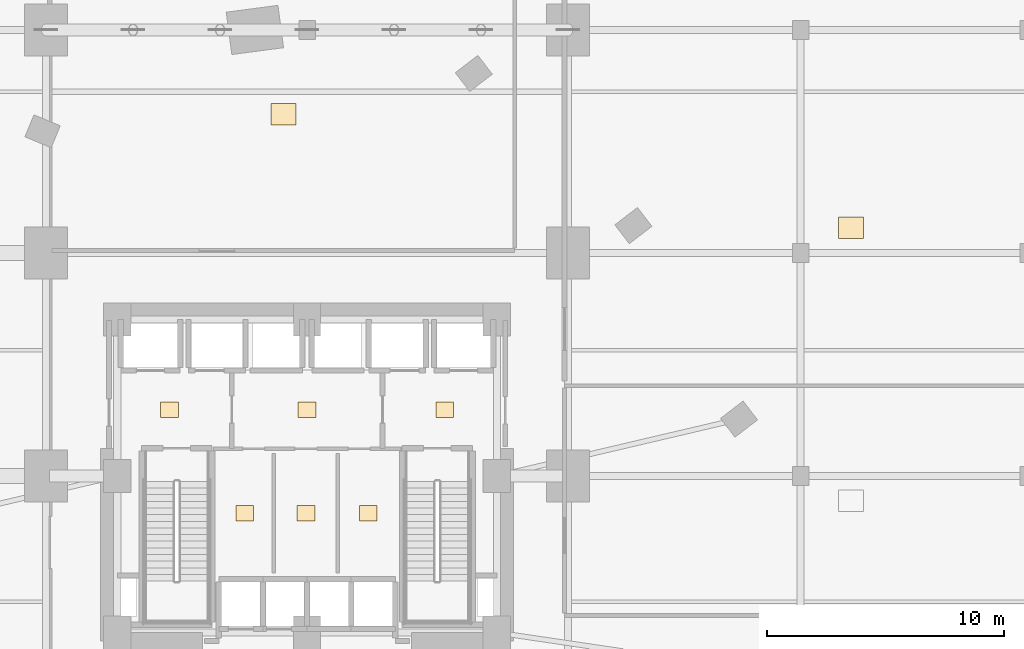
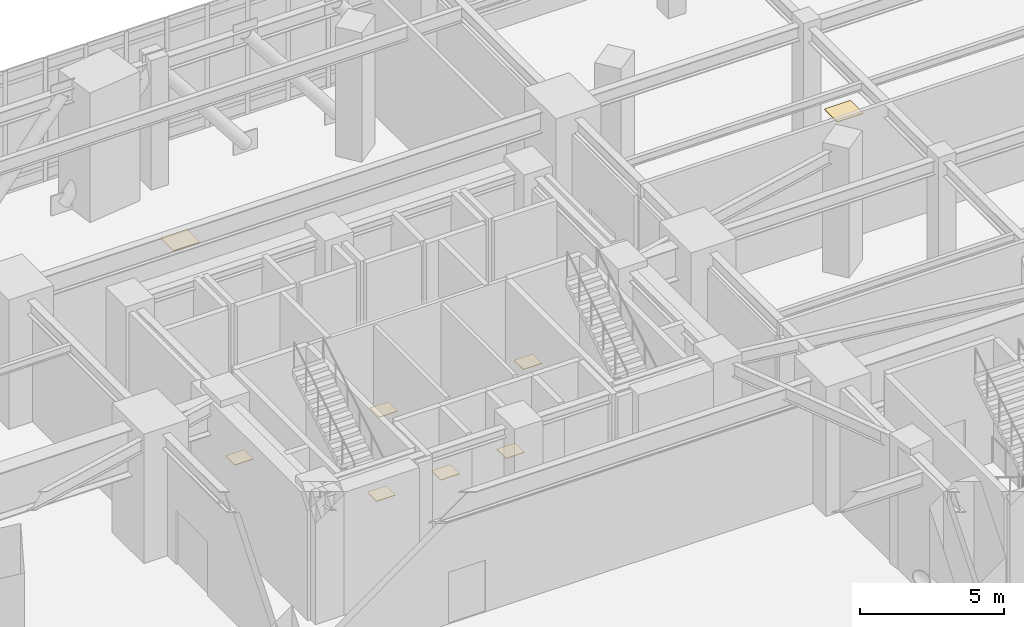
# One storey, part 19 of 19: 8 coverings.
"""IFC4 building model written with IfcOpenShell, lengths in metres."""

import ifcopenshell
import ifcopenshell.guid

model = None  # the IFC model being written
_history = None  # IfcOwnerHistory: only IFC2X3 demands one
_inside = {}  # id of a spatial element -> (the spatial element, [elements in it])
_under = {}  # id of a project, library or spatial element -> (it, [spatial elements below it])
_declared = {}  # id of a project -> (the project, [libraries it declares])
_typed = {}  # id of a type object -> (the type object, [elements of that type])
_made_of = {}  # id of a material, layer set ... -> (it, [elements and type objects made of it])


def new_model(schema):
    """Start an empty IFC model of exactly this schema.

    Asked for "IFC4X3", IfcOpenShell would pick the latest addendum, in which some entities
    have other attributes; the version numbers below select the first issue.
    IFC2X3 requires an IfcOwnerHistory on every rooted entity: one is made here for all.
    """
    global model, _history
    if schema == "IFC4X3":
        model = ifcopenshell.file(schema_version=(4, 3, 0, 0))
    else:
        model = ifcopenshell.file(schema=schema)
    _inside.clear()
    _under.clear()
    _declared.clear()
    _typed.clear()
    _made_of.clear()
    _history = None
    if model.schema == "IFC2X3":
        org = make("IfcOrganization", Name="unknown")
        user = make(
            "IfcPersonAndOrganization",
            ThePerson=make("IfcPerson", FamilyName="unknown"),
            TheOrganization=org,
        )
        app = make(
            "IfcApplication",
            ApplicationDeveloper=org,
            Version="unknown",
            ApplicationFullName="unknown",
            ApplicationIdentifier="unknown",
        )
        _history = make(
            "IfcOwnerHistory",
            OwningUser=user,
            OwningApplication=app,
            ChangeAction="ADDED",
            CreationDate=0,
        )
    return model


def make(cls, **values):
    """One entity of the class cls with the attributes given. An attribute that is None is left unset."""
    return model.create_entity(
        cls, **{name: value for name, value in values.items() if value is not None}
    )


def rooted(cls, **values):
    """An entity with a GlobalId (a new one), such as an element, a storey or a relation."""
    return make(cls, GlobalId=ifcopenshell.guid.new(), OwnerHistory=_history, **values)


def si_unit(unit_type, name, prefix=None):
    """IfcSIUnit, for example si_unit("LENGTHUNIT", "METRE", prefix="MILLI")."""
    return make("IfcSIUnit", UnitType=unit_type, Prefix=prefix, Name=name)


def assignment(units):
    """IfcUnitAssignment: the units of a project."""
    return None if units is None else make("IfcUnitAssignment", Units=units)


def point(xyz):
    """IfcCartesianPoint."""
    return None if xyz is None else make("IfcCartesianPoint", Coordinates=xyz)


def direction(xyz):
    """IfcDirection."""
    return None if xyz is None else make("IfcDirection", DirectionRatios=xyz)


def frame(location, z_axis=None, x_axis=None):
    """IfcAxis2Placement3D, a coordinate frame: its origin and axes. An axis left out is left unset."""
    return make(
        "IfcAxis2Placement3D",
        Location=point(location),
        Axis=direction(z_axis),
        RefDirection=direction(x_axis),
    )


def frame_2d(location, x_axis=None):
    """IfcAxis2Placement2D, a coordinate frame in the plane: its origin and x axis."""
    return make(
        "IfcAxis2Placement2D", Location=point(location), RefDirection=direction(x_axis)
    )


def origin():
    """The frame at (0, 0, 0) with its axes left unset."""
    return frame((0.0, 0.0, 0.0))


def origin_2d():
    """The frame at (0, 0) in the plane with its x axis left unset."""
    return frame_2d((0.0, 0.0))


def place(relative_to, where):
    """IfcLocalPlacement: puts the frame where relative to a parent placement (None: the world)."""
    return make(
        "IfcLocalPlacement", PlacementRelTo=relative_to, RelativePlacement=where
    )


def context(
    kind, dimensions, precision=None, world=None, true_north=None, identifier=None
):
    """IfcGeometricRepresentationContext, for example the 3D "Model" context."""
    return make(
        "IfcGeometricRepresentationContext",
        ContextIdentifier=identifier,
        ContextType=kind,
        CoordinateSpaceDimension=dimensions,
        Precision=precision,
        WorldCoordinateSystem=world,
        TrueNorth=true_north,
    )


def subcontext(parent, identifier, kind, view, scale=None):
    """IfcGeometricRepresentationSubContext, for example "Body" below "Model"."""
    return make(
        "IfcGeometricRepresentationSubContext",
        ContextIdentifier=identifier,
        ContextType=kind,
        ParentContext=parent,
        TargetScale=scale,
        TargetView=view,
    )


def project(units=None, contexts=None):
    """IfcProject with its units and contexts."""
    return rooted(
        "IfcProject",
        Name="project",
        RepresentationContexts=contexts,
        UnitsInContext=assignment(units),
    )


def spatial(cls, under=None, at=None, **own):
    """A site, building, storey or space (cls), placed at a placement, below another one or the project."""
    s = rooted(cls, ObjectPlacement=at, **own)
    if under is not None:
        _under.setdefault(under.id(), (under, []))[1].append(s)
    return s


def profile(cls, at=None, kind="AREA", **sizes):
    """A parametric profile (cls). Its sizes go by their IFC names, for example OverallWidth=200.0."""
    return make(cls, ProfileType=kind, Position=at, **sizes)


def rectangle(**sizes):
    """IfcRectangleProfileDef."""
    return profile("IfcRectangleProfileDef", **sizes)


def extrude(swept, where, along, depth):
    """IfcExtrudedAreaSolid: the profile swept, set in the frame where, extruded along a direction by depth."""
    return make(
        "IfcExtrudedAreaSolid",
        SweptArea=swept,
        Position=where,
        ExtrudedDirection=direction(along),
        Depth=depth,
    )


def shape(context_of_items, identifier, shape_type, items):
    """IfcShapeRepresentation: the items that make up one representation, for example the "Body"."""
    return make(
        "IfcShapeRepresentation",
        ContextOfItems=context_of_items,
        RepresentationIdentifier=identifier,
        RepresentationType=shape_type,
        Items=items,
    )


def material(Name=None, Category=None):
    """IfcMaterial."""
    return make("IfcMaterial", Name=Name, Category=Category)


def layer(
    of_material, thickness, ventilated=None, Name=None, Category=None, Priority=None
):
    """IfcMaterialLayer: one layer of a wall or slab, of a material (None: an air gap)."""
    return make(
        "IfcMaterialLayer",
        Material=of_material,
        LayerThickness=thickness,
        IsVentilated=ventilated,
        Name=Name,
        Category=Category,
        Priority=Priority,
    )


def layer_set(layers, Name=None):
    """IfcMaterialLayerSet."""
    return make("IfcMaterialLayerSet", MaterialLayers=layers, LayerSetName=Name)


def made_of(thing, what):
    """Note that an element or type object is made of a material, layer set ...; save() writes the relation."""
    if what is not None:
        _made_of.setdefault(what.id(), (what, []))[1].append(thing)
    return thing


def type_object(cls, material=None, **own):
    """A type object (cls), such as IfcWallType, which elements share."""
    return made_of(rooted(cls, **own), material)


def element(
    cls,
    number,
    at=None,
    inside=None,
    cuts=None,
    type_object=None,
    material=None,
    context=None,
    identifier="Body",
    shape_type=None,
    held_by="IfcProductDefinitionShape",
    body=None,
    shapes=None,
    **own,
):
    """One element of the class cls, such as IfcWall. Its Tag is "e" and its number.

    at: its placement. inside: the storey or other place that contains it. cuts: it is an
    opening in that element (IfcRelVoidsElement). A single representation is given by context,
    identifier, shape_type and body (its items); several are given by shapes. held_by: the class
    of the entity that holds the representations. save() writes the other relations.
    """
    e = rooted(cls, Tag="e%d" % number, ObjectPlacement=at, **own)
    if body is not None:
        shapes = [shape(context, identifier, shape_type, body)]
    if shapes is not None:
        e.Representation = make(held_by, Representations=shapes)
    if inside is not None:
        _inside.setdefault(inside.id(), (inside, []))[1].append(e)
    if cuts is not None:
        rooted(
            "IfcRelVoidsElement", RelatingBuildingElement=cuts, RelatedOpeningElement=e
        )
    if type_object is not None:
        _typed.setdefault(type_object.id(), (type_object, []))[1].append(e)
    return made_of(e, material)


def aggregate(whole, parts):
    """IfcRelAggregates: a whole, such as a stair, and the parts it consists of."""
    return rooted("IfcRelAggregates", RelatingObject=whole, RelatedObjects=parts)


def save(model, path):
    """Write the relations noted so far, then the file.

    IfcRelAggregates (storeys below a building ...), IfcRelContainedInSpatialStructure (elements
    in a storey), IfcRelDefinesByType, IfcRelAssociatesMaterial and IfcRelDeclares: one each for
    every whole, place, type object, material and project.
    """
    for whole, parts in _under.values():
        aggregate(whole, parts)
    for where, things in _inside.values():
        rooted(
            "IfcRelContainedInSpatialStructure",
            RelatedElements=things,
            RelatingStructure=where,
        )
    for kind, things in _typed.values():
        rooted("IfcRelDefinesByType", RelatedObjects=things, RelatingType=kind)
    for what, things in _made_of.values():
        rooted("IfcRelAssociatesMaterial", RelatedObjects=things, RelatingMaterial=what)
    for by, libraries in _declared.values():
        rooted("IfcRelDeclares", RelatingContext=by, RelatedDefinitions=libraries)
    model.write(path)


model = new_model("IFC4")

# Units and contexts
model_context = context("Model", 3, precision=1e-05, world=origin(), true_north=direction((0.0, 1.0)))
body_context = subcontext(model_context, "Body", "Model", "MODEL_VIEW")
ifc_project = project(units=[si_unit("LENGTHUNIT", "METRE"), si_unit("AREAUNIT", "SQUARE_METRE"), si_unit("VOLUMEUNIT", "CUBIC_METRE"), si_unit("PLANEANGLEUNIT", "RADIAN"), si_unit("MASSUNIT", "GRAM", prefix="KILO")], contexts=[model_context])

# Site, building, storey
site_placement = place(None, origin())
site = spatial("IfcSite", under=ifc_project, at=site_placement, CompositionType="ELEMENT")
building_placement = place(site_placement, origin())
building = spatial("IfcBuilding", under=site, at=building_placement, Name="Ndelora Gate Hotel", CompositionType="ELEMENT")
storey_placement = place(building_placement, frame((0.0, 0.0, 16.0)))
storey = spatial("IfcBuildingStorey", under=building, at=storey_placement, Name="L03", CompositionType="ELEMENT", Elevation=16.0)

# Coverings
ifc_material_1 = material(Name="Engineered Highland Oak Parquet", Category="wood")
ifc_layer_1 = layer(ifc_material_1, 0.030029296875)
ifc_layer_set_1 = layer_set([ifc_layer_1], Name="Engineered Highland Oak Parquet")
covering_type_1 = type_object("IfcCoveringType", Name="COV-FLR-PARQ", PredefinedType="FLOORING", material=ifc_layer_set_1)
for number, where, z_axis, x_axis, name in (
    (1, (-1.0, 15.25, 0.0), (0.0, 0.0, 1.0), (1.0, 0.0, 0.0), "L03 Banquet Reception Salon Oak Parquet Flooring"),
    (2, (22.925048828125, 10.46875, 0.0), (0.0, 0.0, 1.0), (1.0, 0.0, 0.0), "L03 Banquet Plating Kitchen Oak Parquet Flooring"),
):
    element("IfcCovering", number, at=place(storey_placement, frame(where, z_axis=z_axis, x_axis=x_axis)), inside=storey, type_object=covering_type_1, Name=name, PredefinedType="FLOORING", context=body_context, shape_type="SweptSolid", body=[
        extrude(rectangle(XDim=1.050048828125, YDim=0.89990234375, at=origin_2d()), origin(), (0.0, 0.0, 1.0), 0.030029296875),
    ])
ifc_material_2 = material(Name="Non-Slip Porcelain Wet-Room Tile", Category="ceramic")
ifc_layer_2 = layer(ifc_material_2, 0.02490234375)
ifc_layer_set_2 = layer_set([ifc_layer_2], Name="Non-Slip Porcelain Wet-Room Tile")
covering_type_2 = type_object("IfcCoveringType", Name="COV-FLR-TILE", PredefinedType="FLOORING", material=ifc_layer_set_2)
for number, where, z_axis, x_axis, name in (
    (3, (-5.800048828125, 2.800048828125, 0.0), (0.0, 0.0, 1.0), (1.0, 0.0, 0.0), "L03 Firefighting Lift Lobby West Porcelain Tile Flooring"),
    (4, (5.800048828125, 2.800048828125, 0.0), (0.0, 0.0, 1.0), (1.0, 0.0, 0.0), "L03 Firefighting Lift Lobby East Porcelain Tile Flooring"),
    (5, (0.0, 2.800048828125, 0.0), (0.0, 0.0, 1.0), (1.0, 0.0, 0.0), "L03 Central Passenger Lift Lobby Porcelain Tile Flooring"),
    (6, (-2.625, -1.574951171875, 0.0), (0.0, 0.0, 1.0), (1.0, 0.0, 0.0), "L03 Core Cleaners Store Porcelain Tile Flooring"),
    (7, (-0.050048828125, -1.574951171875, 0.0), (0.0, 0.0, 1.0), (1.0, 0.0, 0.0), "L03 Core Telecoms Equipment Room Porcelain Tile Flooring"),
    (8, (2.574951171875, -1.574951171875, 0.0), (0.0, 0.0, 1.0), (1.0, 0.0, 0.0), "L03 Core Electrical Metering Room Porcelain Tile Flooring"),
):
    element("IfcCovering", number, at=place(storey_placement, frame(where, z_axis=z_axis, x_axis=x_axis)), inside=storey, type_object=covering_type_2, Name=name, PredefinedType="FLOORING", context=body_context, shape_type="SweptSolid", body=[
        extrude(rectangle(XDim=0.75, YDim=0.64990234375, at=origin_2d()), origin(), (0.0, 0.0, 1.0), 0.02490234375),
    ])

save(model, "model.ifc")
